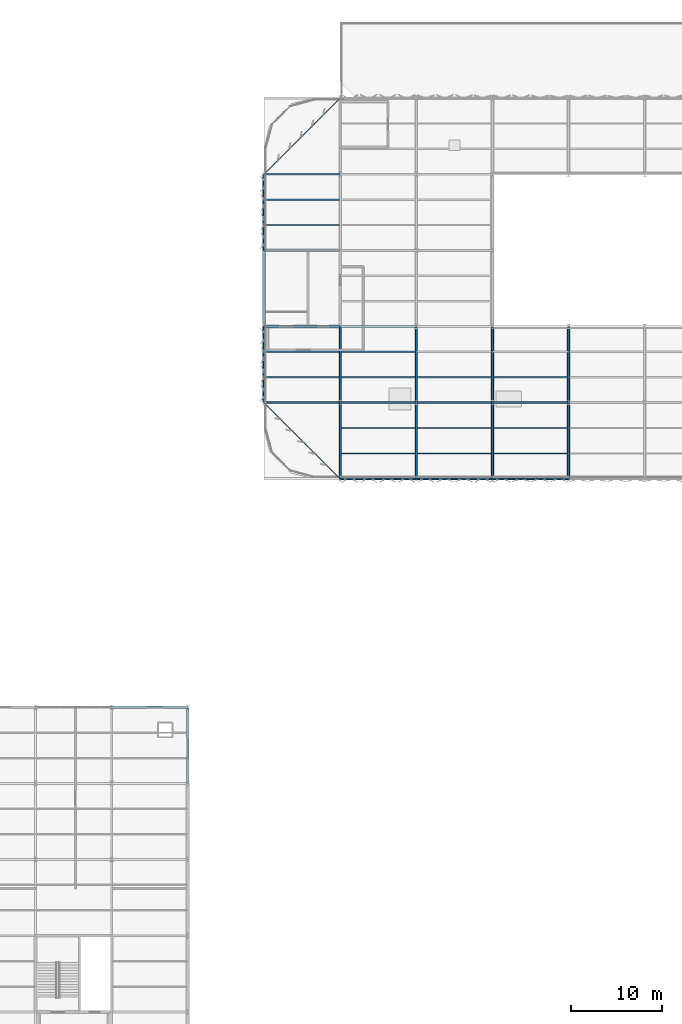
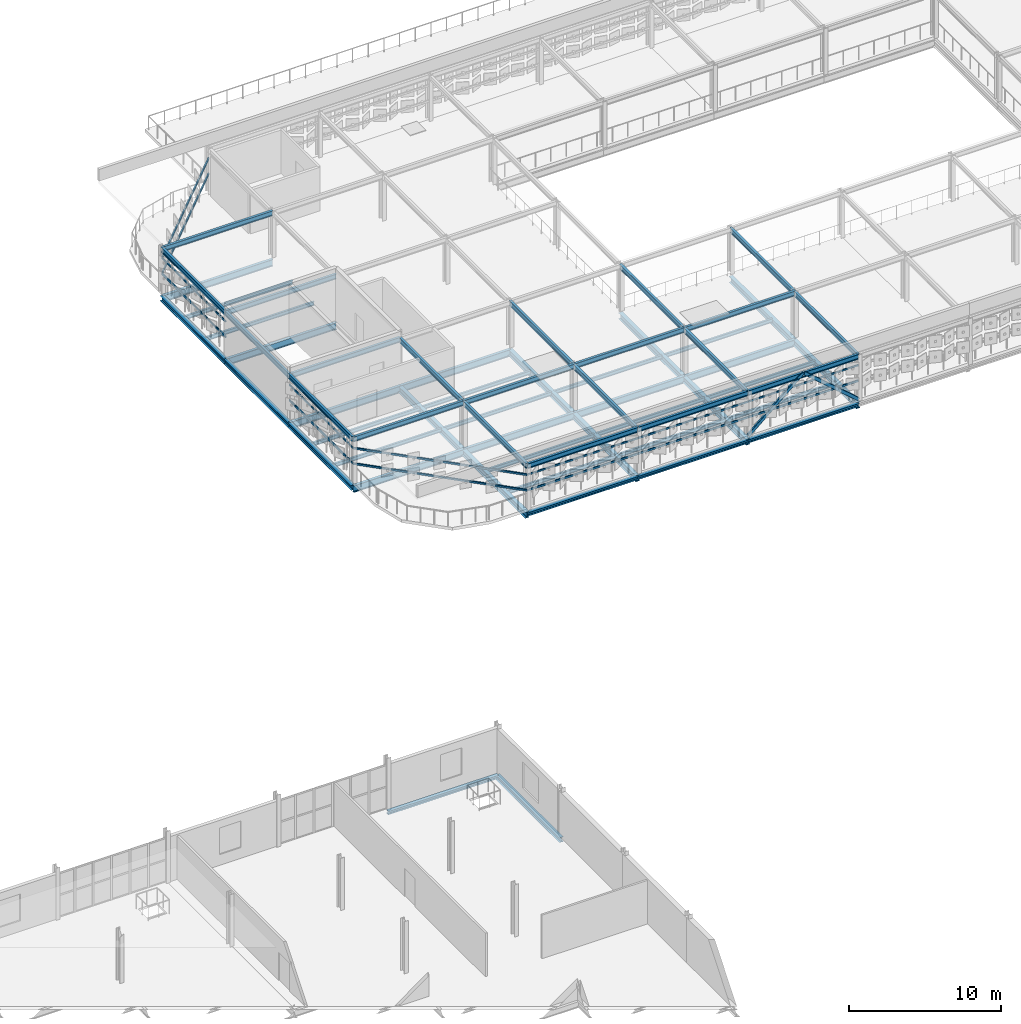
# One storey, part 30 of 65: 73 beams, 2 members.
"""IFC4 building model written with IfcOpenShell, lengths in metres."""

from ifc_helpers import new_model, si_unit, direction, frame, origin, origin_2d, place, context, subcontext, project, spatial, hollow_rectangle, i_section, extrude, material, material_profile, profile_set, type_object, element, save


model = new_model("IFC4")

# Units and contexts
model_context = context("Model", 3, precision=1e-05, world=origin(), true_north=direction((0.0, 1.0)))
body_context = subcontext(model_context, "Body", "Model", "MODEL_VIEW")
ifc_project = project(units=[si_unit("LENGTHUNIT", "METRE"), si_unit("AREAUNIT", "SQUARE_METRE"), si_unit("VOLUMEUNIT", "CUBIC_METRE"), si_unit("PLANEANGLEUNIT", "RADIAN"), si_unit("MASSUNIT", "GRAM", prefix="KILO")], contexts=[model_context])

# Site, building, storey
site_placement = place(None, origin())
site = spatial("IfcSite", under=ifc_project, at=site_placement, CompositionType="ELEMENT")
building_placement = place(site_placement, origin())
building = spatial("IfcBuilding", under=site, at=building_placement, Name="Qalvenar Corner Mobility Hub", CompositionType="ELEMENT")
storey_placement = place(building_placement, frame((0.0, 0.0, 17.39990234375)))
storey = spatial("IfcBuildingStorey", under=building, at=storey_placement, Name="L04", CompositionType="ELEMENT", Elevation=17.39990234375)

# Beams
ifc_material = material(Name="Steel S355", Category="steel")
ifc_material_profile_1 = material_profile(ifc_material, i_section(OverallWidth=0.300048828125, OverallDepth=0.489990234375, WebThickness=0.011962890625, FlangeThickness=0.02294921875, FilletRadius=0.027099609375, at=origin_2d()), Name="HEA500")
ifc_profile_set_1 = profile_set([ifc_material_profile_1], Name="Steel S355")
beam_type_1 = type_object("IfcBeamType", Name="BM-HEA500", PredefinedType="BEAM", material=ifc_profile_set_1)
beam_1_placement = place(storey_placement, frame((67.199951171875, 67.199951171875, -0.48486328125), z_axis=(0.0, 1.0, 0.0), x_axis=(-1.0, 0.0, 0.0)))
element("IfcBeam", 1, at=beam_1_placement, inside=storey, type_object=beam_type_1, Name="Primary Steel Girder GY-2774", PredefinedType="BEAM", context=body_context, shape_type="SweptSolid", body=[
    extrude(i_section(OverallWidth=0.300048828125, OverallDepth=0.489990234375, WebThickness=0.011962890625, FlangeThickness=0.02294921875, FilletRadius=0.027099609375, at=origin_2d()), origin(), (0.0, 0.0, 1.0), 8.400146484375),
])
beam_2_placement = place(storey_placement, frame((67.199951171875, 75.60009765625, -0.48486328125), z_axis=(0.0, 1.0, 0.0), x_axis=(-1.0, 0.0, 0.0)))
element("IfcBeam", 2, at=beam_2_placement, inside=storey, type_object=beam_type_1, Name="Primary Steel Girder GY-2775", PredefinedType="BEAM", context=body_context, shape_type="SweptSolid", body=[
    extrude(i_section(OverallWidth=0.300048828125, OverallDepth=0.489990234375, WebThickness=0.011962890625, FlangeThickness=0.02294921875, FilletRadius=0.027099609375, at=origin_2d()), origin(), (0.0, 0.0, 1.0), 8.39990234375),
])
beam_3_placement = place(storey_placement, frame((75.60009765625, 67.199951171875, -0.48486328125), z_axis=(0.0, 1.0, 0.0), x_axis=(-1.0, 0.0, 0.0)))
element("IfcBeam", 3, at=beam_3_placement, inside=storey, type_object=beam_type_1, Name="Primary Steel Girder GY-2779", PredefinedType="BEAM", context=body_context, shape_type="SweptSolid", body=[
    extrude(i_section(OverallWidth=0.300048828125, OverallDepth=0.489990234375, WebThickness=0.011962890625, FlangeThickness=0.02294921875, FilletRadius=0.027099609375, at=origin_2d()), origin(), (0.0, 0.0, 1.0), 8.400146484375),
])
beam_4_placement = place(storey_placement, frame((75.60009765625, 75.60009765625, -0.48486328125), z_axis=(0.0, 1.0, 0.0), x_axis=(-1.0, 0.0, 0.0)))
element("IfcBeam", 4, at=beam_4_placement, inside=storey, type_object=beam_type_1, Name="Primary Steel Girder GY-2780", PredefinedType="BEAM", context=body_context, shape_type="SweptSolid", body=[
    extrude(i_section(OverallWidth=0.300048828125, OverallDepth=0.489990234375, WebThickness=0.011962890625, FlangeThickness=0.02294921875, FilletRadius=0.027099609375, at=origin_2d()), origin(), (0.0, 0.0, 1.0), 8.39990234375),
])
beam_5_placement = place(storey_placement, frame((84.0, 67.199951171875, -0.48486328125), z_axis=(0.0, 1.0, 0.0), x_axis=(-1.0, 0.0, 0.0)))
element("IfcBeam", 5, at=beam_5_placement, inside=storey, type_object=beam_type_1, Name="Primary Steel Girder GY-2784", PredefinedType="BEAM", context=body_context, shape_type="SweptSolid", body=[
    extrude(i_section(OverallWidth=0.300048828125, OverallDepth=0.489990234375, WebThickness=0.011962890625, FlangeThickness=0.02294921875, FilletRadius=0.027099609375, at=origin_2d()), origin(), (0.0, 0.0, 1.0), 8.400146484375),
])
beam_6_placement = place(storey_placement, frame((84.0, 75.60009765625, -0.48486328125), z_axis=(0.0, 1.0, 0.0), x_axis=(-1.0, 0.0, 0.0)))
element("IfcBeam", 6, at=beam_6_placement, inside=storey, type_object=beam_type_1, Name="Primary Steel Girder GY-2785", PredefinedType="BEAM", context=body_context, shape_type="SweptSolid", body=[
    extrude(i_section(OverallWidth=0.300048828125, OverallDepth=0.489990234375, WebThickness=0.011962890625, FlangeThickness=0.02294921875, FilletRadius=0.027099609375, at=origin_2d()), origin(), (0.0, 0.0, 1.0), 8.39990234375),
])
beam_7_placement = place(storey_placement, frame((92.39990234375, 67.199951171875, -0.48486328125), z_axis=(0.0, 1.0, 0.0), x_axis=(-1.0, 0.0, 0.0)))
element("IfcBeam", 7, at=beam_7_placement, inside=storey, type_object=beam_type_1, Name="Primary Steel Girder GY-2789", PredefinedType="BEAM", context=body_context, shape_type="SweptSolid", body=[
    extrude(i_section(OverallWidth=0.300048828125, OverallDepth=0.489990234375, WebThickness=0.011962890625, FlangeThickness=0.02294921875, FilletRadius=0.027099609375, at=origin_2d()), origin(), (0.0, 0.0, 1.0), 8.400146484375),
])
beam_8_placement = place(storey_placement, frame((92.39990234375, 75.60009765625, -0.48486328125), z_axis=(0.0, 1.0, 0.0), x_axis=(-1.0, 0.0, 0.0)))
element("IfcBeam", 8, at=beam_8_placement, inside=storey, type_object=beam_type_1, Name="Primary Steel Girder GY-2790", PredefinedType="BEAM", context=body_context, shape_type="SweptSolid", body=[
    extrude(i_section(OverallWidth=0.300048828125, OverallDepth=0.489990234375, WebThickness=0.011962890625, FlangeThickness=0.02294921875, FilletRadius=0.027099609375, at=origin_2d()), origin(), (0.0, 0.0, 1.0), 8.39990234375),
])
ifc_material_profile_2 = material_profile(ifc_material, i_section(OverallWidth=0.179931640625, OverallDepth=0.39990234375, WebThickness=0.008544921875, FlangeThickness=0.013427734375, FilletRadius=0.02099609375, at=origin_2d()), Name="IPE400")
ifc_profile_set_2 = profile_set([ifc_material_profile_2], Name="Steel S355")
beam_type_2 = type_object("IfcBeamType", Name="BM-IPE400", PredefinedType="BEAM", material=ifc_profile_set_2)
for number, where, z_axis, x_axis, name in (
    (9, (58.800048828125, 75.60009765625, 3.47021484375), (0.0, 1.0, 0.0), (-1.0, 0.0, 0.0), "EV Roof Girder V4RF-Y-58-75"),
    (10, (58.800048828125, 84.0, 3.47021484375), (0.0, 1.0, 0.0), (-1.0, 0.0, 0.0), "EV Roof Girder V4RF-Y-58-84"),
):
    element("IfcBeam", number, at=place(storey_placement, frame(where, z_axis=z_axis, x_axis=x_axis)), inside=storey, type_object=beam_type_2, Name=name, PredefinedType="BEAM", context=body_context, shape_type="SweptSolid", body=[
        extrude(i_section(OverallWidth=0.179931640625, OverallDepth=0.39990234375, WebThickness=0.008544921875, FlangeThickness=0.013427734375, FilletRadius=0.02099609375, at=origin_2d()), origin(), (0.0, 0.0, 1.0), 8.39990234375),
    ])
for number, where, z_axis, x_axis, name in (
    (11, (58.800048828125, 92.39990234375, 3.47021484375), (0.0, 1.0, 0.0), (-1.0, 0.0, 0.0), "EV Roof Girder V4RF-Y-58-92"),
    (12, (67.199951171875, 67.199951171875, 3.47021484375), (0.0, 1.0, 0.0), (-1.0, 0.0, 0.0), "EV Roof Girder V4RF-Y-67-67"),
):
    element("IfcBeam", number, at=place(storey_placement, frame(where, z_axis=z_axis, x_axis=x_axis)), inside=storey, type_object=beam_type_2, Name=name, PredefinedType="BEAM", context=body_context, shape_type="SweptSolid", body=[
        extrude(i_section(OverallWidth=0.179931640625, OverallDepth=0.39990234375, WebThickness=0.008544921875, FlangeThickness=0.013427734375, FilletRadius=0.02099609375, at=origin_2d()), origin(), (0.0, 0.0, 1.0), 8.400146484375),
    ])
beam_9_placement = place(storey_placement, frame((67.199951171875, 75.60009765625, 3.47021484375), z_axis=(0.0, 1.0, 0.0), x_axis=(-1.0, 0.0, 0.0)))
element("IfcBeam", 13, at=beam_9_placement, inside=storey, type_object=beam_type_2, Name="EV Roof Girder V4RF-Y-67-75", PredefinedType="BEAM", context=body_context, shape_type="SweptSolid", body=[
    extrude(i_section(OverallWidth=0.179931640625, OverallDepth=0.39990234375, WebThickness=0.008544921875, FlangeThickness=0.013427734375, FilletRadius=0.02099609375, at=origin_2d()), origin(), (0.0, 0.0, 1.0), 8.39990234375),
])
beam_10_placement = place(storey_placement, frame((75.60009765625, 67.199951171875, 3.47021484375), z_axis=(0.0, 1.0, 0.0), x_axis=(-1.0, 0.0, 0.0)))
element("IfcBeam", 14, at=beam_10_placement, inside=storey, type_object=beam_type_2, Name="EV Roof Girder V4RF-Y-75-67", PredefinedType="BEAM", context=body_context, shape_type="SweptSolid", body=[
    extrude(i_section(OverallWidth=0.179931640625, OverallDepth=0.39990234375, WebThickness=0.008544921875, FlangeThickness=0.013427734375, FilletRadius=0.02099609375, at=origin_2d()), origin(), (0.0, 0.0, 1.0), 8.400146484375),
])
beam_11_placement = place(storey_placement, frame((75.60009765625, 75.60009765625, 3.47021484375), z_axis=(0.0, 1.0, 0.0), x_axis=(-1.0, 0.0, 0.0)))
element("IfcBeam", 15, at=beam_11_placement, inside=storey, type_object=beam_type_2, Name="EV Roof Girder V4RF-Y-75-75", PredefinedType="BEAM", context=body_context, shape_type="SweptSolid", body=[
    extrude(i_section(OverallWidth=0.179931640625, OverallDepth=0.39990234375, WebThickness=0.008544921875, FlangeThickness=0.013427734375, FilletRadius=0.02099609375, at=origin_2d()), origin(), (0.0, 0.0, 1.0), 8.39990234375),
])
beam_12_placement = place(storey_placement, frame((84.0, 67.199951171875, 3.47021484375), z_axis=(0.0, 1.0, 0.0), x_axis=(-1.0, 0.0, 0.0)))
element("IfcBeam", 16, at=beam_12_placement, inside=storey, type_object=beam_type_2, Name="EV Roof Girder V4RF-Y-84-67", PredefinedType="BEAM", context=body_context, shape_type="SweptSolid", body=[
    extrude(i_section(OverallWidth=0.179931640625, OverallDepth=0.39990234375, WebThickness=0.008544921875, FlangeThickness=0.013427734375, FilletRadius=0.02099609375, at=origin_2d()), origin(), (0.0, 0.0, 1.0), 8.400146484375),
])
beam_13_placement = place(storey_placement, frame((84.0, 75.60009765625, 3.47021484375), z_axis=(0.0, 1.0, 0.0), x_axis=(-1.0, 0.0, 0.0)))
element("IfcBeam", 17, at=beam_13_placement, inside=storey, type_object=beam_type_2, Name="EV Roof Girder V4RF-Y-84-75", PredefinedType="BEAM", context=body_context, shape_type="SweptSolid", body=[
    extrude(i_section(OverallWidth=0.179931640625, OverallDepth=0.39990234375, WebThickness=0.008544921875, FlangeThickness=0.013427734375, FilletRadius=0.02099609375, at=origin_2d()), origin(), (0.0, 0.0, 1.0), 8.39990234375),
])
beam_14_placement = place(storey_placement, frame((92.39990234375, 67.199951171875, 3.47021484375), z_axis=(0.0, 1.0, 0.0), x_axis=(-1.0, 0.0, 0.0)))
element("IfcBeam", 18, at=beam_14_placement, inside=storey, type_object=beam_type_2, Name="EV Roof Girder V4RF-Y-92-67", PredefinedType="BEAM", context=body_context, shape_type="SweptSolid", body=[
    extrude(i_section(OverallWidth=0.179931640625, OverallDepth=0.39990234375, WebThickness=0.008544921875, FlangeThickness=0.013427734375, FilletRadius=0.02099609375, at=origin_2d()), origin(), (0.0, 0.0, 1.0), 8.400146484375),
])
beam_15_placement = place(storey_placement, frame((92.39990234375, 75.60009765625, 3.47021484375), z_axis=(0.0, 1.0, 0.0), x_axis=(-1.0, 0.0, 0.0)))
element("IfcBeam", 19, at=beam_15_placement, inside=storey, type_object=beam_type_2, Name="EV Roof Girder V4RF-Y-92-75", PredefinedType="BEAM", context=body_context, shape_type="SweptSolid", body=[
    extrude(i_section(OverallWidth=0.179931640625, OverallDepth=0.39990234375, WebThickness=0.008544921875, FlangeThickness=0.013427734375, FilletRadius=0.02099609375, at=origin_2d()), origin(), (0.0, 0.0, 1.0), 8.39990234375),
])
beam_16_placement = place(storey_placement, frame((67.199951171875, 67.199951171875, 3.47021484375), z_axis=(1.0, 0.0, 0.0), x_axis=(0.0, 1.0, 0.0)))
element("IfcBeam", 20, at=beam_16_placement, inside=storey, type_object=beam_type_2, Name="EV Roof Girder V4RF-X-67-67", PredefinedType="BEAM", context=body_context, shape_type="SweptSolid", body=[
    extrude(i_section(OverallWidth=0.179931640625, OverallDepth=0.39990234375, WebThickness=0.008544921875, FlangeThickness=0.013427734375, FilletRadius=0.02099609375, at=origin_2d()), origin(), (0.0, 0.0, 1.0), 8.400146484375),
])
for number, where, z_axis, x_axis, name in (
    (21, (75.60009765625, 67.199951171875, 3.47021484375), (1.0, 0.0, 0.0), (0.0, 1.0, 0.0), "EV Roof Girder V4RF-X-75-67"),
    (22, (84.0, 67.199951171875, 3.47021484375), (1.0, 0.0, 0.0), (0.0, 1.0, 0.0), "EV Roof Girder V4RF-X-84-67"),
    (23, (58.800048828125, 75.60009765625, 3.47021484375), (1.0, 0.0, 0.0), (0.0, 1.0, 0.0), "EV Roof Girder V4RF-X-58-75"),
):
    element("IfcBeam", number, at=place(storey_placement, frame(where, z_axis=z_axis, x_axis=x_axis)), inside=storey, type_object=beam_type_2, Name=name, PredefinedType="BEAM", context=body_context, shape_type="SweptSolid", body=[
        extrude(i_section(OverallWidth=0.179931640625, OverallDepth=0.39990234375, WebThickness=0.008544921875, FlangeThickness=0.013427734375, FilletRadius=0.02099609375, at=origin_2d()), origin(), (0.0, 0.0, 1.0), 8.39990234375),
    ])
beam_17_placement = place(storey_placement, frame((67.199951171875, 75.60009765625, 3.47021484375), z_axis=(1.0, 0.0, 0.0), x_axis=(0.0, 1.0, 0.0)))
element("IfcBeam", 24, at=beam_17_placement, inside=storey, type_object=beam_type_2, Name="EV Roof Girder V4RF-X-67-75", PredefinedType="BEAM", context=body_context, shape_type="SweptSolid", body=[
    extrude(i_section(OverallWidth=0.179931640625, OverallDepth=0.39990234375, WebThickness=0.008544921875, FlangeThickness=0.013427734375, FilletRadius=0.02099609375, at=origin_2d()), origin(), (0.0, 0.0, 1.0), 8.400146484375),
])
for number, where, z_axis, x_axis, name in (
    (25, (75.60009765625, 75.60009765625, 3.47021484375), (1.0, 0.0, 0.0), (0.0, 1.0, 0.0), "EV Roof Girder V4RF-X-75-75"),
    (26, (84.0, 75.60009765625, 3.47021484375), (1.0, 0.0, 0.0), (0.0, 1.0, 0.0), "EV Roof Girder V4RF-X-84-75"),
    (27, (58.800048828125, 84.0, 3.47021484375), (1.0, 0.0, 0.0), (0.0, 1.0, 0.0), "EV Roof Girder V4RF-X-58-84"),
    (28, (58.800048828125, 92.39990234375, 3.47021484375), (1.0, 0.0, 0.0), (0.0, 1.0, 0.0), "EV Roof Girder V4RF-X-58-92"),
    (29, (58.800048828125, 100.800048828125, 3.47021484375), (1.0, 0.0, 0.0), (0.0, 1.0, 0.0), "EV Roof Girder V4RF-X-58-100"),
):
    element("IfcBeam", number, at=place(storey_placement, frame(where, z_axis=z_axis, x_axis=x_axis)), inside=storey, type_object=beam_type_2, Name=name, PredefinedType="BEAM", context=body_context, shape_type="SweptSolid", body=[
        extrude(i_section(OverallWidth=0.179931640625, OverallDepth=0.39990234375, WebThickness=0.008544921875, FlangeThickness=0.013427734375, FilletRadius=0.02099609375, at=origin_2d()), origin(), (0.0, 0.0, 1.0), 8.39990234375),
    ])
ifc_material_profile_3 = material_profile(ifc_material, i_section(OverallWidth=0.2099609375, OverallDepth=0.550048828125, WebThickness=0.010986328125, FlangeThickness=0.01708984375, FilletRadius=0.02392578125, at=origin_2d()), Name="IPE550")
ifc_profile_set_3 = profile_set([ifc_material_profile_3], Name="Steel S355")
beam_type_3 = type_object("IfcBeamType", Name="BM-IPE550", PredefinedType="BEAM", material=ifc_profile_set_3)
beam_18_placement = place(storey_placement, frame((58.800048828125, 75.60009765625, -0.514892578125), z_axis=(1.0, 0.0, 0.0), x_axis=(0.0, 1.0, 0.0)))
element("IfcBeam", 30, at=beam_18_placement, inside=storey, type_object=beam_type_3, Name="Primary Steel Girder GX-2727", PredefinedType="BEAM", context=body_context, shape_type="SweptSolid", body=[
    extrude(i_section(OverallWidth=0.2099609375, OverallDepth=0.550048828125, WebThickness=0.010986328125, FlangeThickness=0.01708984375, FilletRadius=0.02392578125, at=origin_2d()), origin(), (0.0, 0.0, 1.0), 8.39990234375),
])
beam_19_placement = place(storey_placement, frame((67.199951171875, 75.60009765625, -0.514892578125), z_axis=(1.0, 0.0, 0.0), x_axis=(0.0, 1.0, 0.0)))
element("IfcBeam", 31, at=beam_19_placement, inside=storey, type_object=beam_type_3, Name="Primary Steel Girder GX-2728", PredefinedType="BEAM", context=body_context, shape_type="SweptSolid", body=[
    extrude(i_section(OverallWidth=0.2099609375, OverallDepth=0.550048828125, WebThickness=0.010986328125, FlangeThickness=0.01708984375, FilletRadius=0.02392578125, at=origin_2d()), origin(), (0.0, 0.0, 1.0), 8.400146484375),
])
for number, where, z_axis, x_axis, name in (
    (32, (75.60009765625, 75.60009765625, -0.514892578125), (1.0, 0.0, 0.0), (0.0, 1.0, 0.0), "Primary Steel Girder GX-2729"),
    (33, (84.0, 75.60009765625, -0.514892578125), (1.0, 0.0, 0.0), (0.0, 1.0, 0.0), "Primary Steel Girder GX-2730"),
    (34, (58.800048828125, 84.0, -0.514892578125), (1.0, 0.0, 0.0), (0.0, 1.0, 0.0), "Primary Steel Girder GX-2737"),
):
    element("IfcBeam", number, at=place(storey_placement, frame(where, z_axis=z_axis, x_axis=x_axis)), inside=storey, type_object=beam_type_3, Name=name, PredefinedType="BEAM", context=body_context, shape_type="SweptSolid", body=[
        extrude(i_section(OverallWidth=0.2099609375, OverallDepth=0.550048828125, WebThickness=0.010986328125, FlangeThickness=0.01708984375, FilletRadius=0.02392578125, at=origin_2d()), origin(), (0.0, 0.0, 1.0), 8.39990234375),
    ])
beam_20_placement = place(storey_placement, frame((67.199951171875, 84.0, -0.514892578125), z_axis=(1.0, 0.0, 0.0), x_axis=(0.0, 1.0, 0.0)))
element("IfcBeam", 35, at=beam_20_placement, inside=storey, type_object=beam_type_3, Name="Primary Steel Girder GX-2738", PredefinedType="BEAM", context=body_context, shape_type="SweptSolid", body=[
    extrude(i_section(OverallWidth=0.2099609375, OverallDepth=0.550048828125, WebThickness=0.010986328125, FlangeThickness=0.01708984375, FilletRadius=0.02392578125, at=origin_2d()), origin(), (0.0, 0.0, 1.0), 8.400146484375),
])
for number, where, z_axis, x_axis, name in (
    (36, (58.800048828125, 92.39990234375, -0.514892578125), (1.0, 0.0, 0.0), (0.0, 1.0, 0.0), "Primary Steel Girder GX-2747"),
    (37, (58.800048828125, 100.800048828125, -0.514892578125), (1.0, 0.0, 0.0), (0.0, 1.0, 0.0), "Primary Steel Girder GX-2753"),
):
    element("IfcBeam", number, at=place(storey_placement, frame(where, z_axis=z_axis, x_axis=x_axis)), inside=storey, type_object=beam_type_3, Name=name, PredefinedType="BEAM", context=body_context, shape_type="SweptSolid", body=[
        extrude(i_section(OverallWidth=0.2099609375, OverallDepth=0.550048828125, WebThickness=0.010986328125, FlangeThickness=0.01708984375, FilletRadius=0.02392578125, at=origin_2d()), origin(), (0.0, 0.0, 1.0), 8.39990234375),
    ])
ifc_material_profile_4 = material_profile(ifc_material, i_section(OverallWidth=0.14990234375, OverallDepth=0.300048828125, WebThickness=0.007080078125, FlangeThickness=0.0107421875, FilletRadius=0.014892578125, at=origin_2d()), Name="IPE300")
ifc_profile_set_4 = profile_set([ifc_material_profile_4], Name="Steel S355")
beam_type_4 = type_object("IfcBeamType", Name="BM-JST300", PredefinedType="JOIST", material=ifc_profile_set_4)
for number, where, z_axis, x_axis, name in (
    (38, (58.8779296875, 78.39990234375, -0.389892578125), (1.0, 0.0, 0.0), (0.0, 1.0, 0.0), "Composite Floor Joist J-2816"),
    (39, (58.8779296875, 81.199951171875, -0.389892578125), (1.0, 0.0, 0.0), (0.0, 1.0, 0.0), "Composite Floor Joist J-2817"),
    (40, (58.8779296875, 95.199951171875, -0.389892578125), (1.0, 0.0, 0.0), (0.0, 1.0, 0.0), "Composite Floor Joist J-2818"),
    (41, (58.8779296875, 98.0, -0.389892578125), (1.0, 0.0, 0.0), (0.0, 1.0, 0.0), "Composite Floor Joist J-2819"),
):
    element("IfcBeam", number, at=place(storey_placement, frame(where, z_axis=z_axis, x_axis=x_axis)), inside=storey, type_object=beam_type_4, Name=name, PredefinedType="JOIST", context=body_context, shape_type="SweptSolid", body=[
        extrude(i_section(OverallWidth=0.14990234375, OverallDepth=0.300048828125, WebThickness=0.007080078125, FlangeThickness=0.0107421875, FilletRadius=0.014892578125, at=origin_2d()), origin(), (0.0, 0.0, 1.0), 8.244140625),
    ])
for number, where, z_axis, x_axis, name in (
    (42, (67.278076171875, 70.0, -0.389892578125), (1.0, 0.0, 0.0), (0.0, 1.0, 0.0), "Composite Floor Joist J-2820"),
    (43, (67.278076171875, 72.800048828125, -0.389892578125), (1.0, 0.0, 0.0), (0.0, 1.0, 0.0), "Composite Floor Joist J-2821"),
    (44, (67.278076171875, 78.39990234375, -0.389892578125), (1.0, 0.0, 0.0), (0.0, 1.0, 0.0), "Composite Floor Joist J-2822"),
    (45, (67.278076171875, 81.199951171875, -0.389892578125), (1.0, 0.0, 0.0), (0.0, 1.0, 0.0), "Composite Floor Joist J-2823"),
):
    element("IfcBeam", number, at=place(storey_placement, frame(where, z_axis=z_axis, x_axis=x_axis)), inside=storey, type_object=beam_type_4, Name=name, PredefinedType="JOIST", context=body_context, shape_type="SweptSolid", body=[
        extrude(i_section(OverallWidth=0.14990234375, OverallDepth=0.300048828125, WebThickness=0.007080078125, FlangeThickness=0.0107421875, FilletRadius=0.014892578125, at=origin_2d()), origin(), (0.0, 0.0, 1.0), 8.243896484375),
    ])
for number, where, z_axis, x_axis, name in (
    (46, (75.677978515625, 70.0, -0.389892578125), (1.0, 0.0, 0.0), (0.0, 1.0, 0.0), "Composite Floor Joist J-2830"),
    (47, (75.677978515625, 72.800048828125, -0.389892578125), (1.0, 0.0, 0.0), (0.0, 1.0, 0.0), "Composite Floor Joist J-2831"),
    (48, (75.677978515625, 78.39990234375, -0.389892578125), (1.0, 0.0, 0.0), (0.0, 1.0, 0.0), "Composite Floor Joist J-2832"),
    (49, (84.077880859375, 70.0, -0.389892578125), (1.0, 0.0, 0.0), (0.0, 1.0, 0.0), "Composite Floor Joist J-2840"),
    (50, (84.077880859375, 72.800048828125, -0.389892578125), (1.0, 0.0, 0.0), (0.0, 1.0, 0.0), "Composite Floor Joist J-2841"),
    (51, (84.077880859375, 78.39990234375, -0.389892578125), (1.0, 0.0, 0.0), (0.0, 1.0, 0.0), "Composite Floor Joist J-2842"),
):
    element("IfcBeam", number, at=place(storey_placement, frame(where, z_axis=z_axis, x_axis=x_axis)), inside=storey, type_object=beam_type_4, Name=name, PredefinedType="JOIST", context=body_context, shape_type="SweptSolid", body=[
        extrude(i_section(OverallWidth=0.14990234375, OverallDepth=0.300048828125, WebThickness=0.007080078125, FlangeThickness=0.0107421875, FilletRadius=0.014892578125, at=origin_2d()), origin(), (0.0, 0.0, 1.0), 8.244140625),
    ])
ifc_material_profile_5 = material_profile(ifc_material, i_section(OverallWidth=0.280029296875, OverallDepth=0.27001953125, WebThickness=0.008056640625, FlangeThickness=0.012939453125, FilletRadius=0.02392578125, at=origin_2d()), Name="HEA280")
ifc_profile_set_5 = profile_set([ifc_material_profile_5], Name="Steel S355")
beam_type_5 = type_object("IfcBeamType", Name="BM-SPN280", PredefinedType="SPANDREL", material=ifc_profile_set_5)
beam_21_placement = place(storey_placement, frame((42.0, 42.0, -0.31494140625), z_axis=(1.0, 0.0, 0.0), x_axis=(0.0, 1.0, 0.0)))
element("IfcBeam", 52, at=beam_21_placement, inside=storey, type_object=beam_type_5, Name="Primary Steel Girder GX-2626", PredefinedType="SPANDREL", context=body_context, shape_type="SweptSolid", body=[
    extrude(i_section(OverallWidth=0.280029296875, OverallDepth=0.27001953125, WebThickness=0.008056640625, FlangeThickness=0.012939453125, FilletRadius=0.02392578125, at=origin_2d()), origin(), (0.0, 0.0, 1.0), 8.39990234375),
])
beam_22_placement = place(storey_placement, frame((67.199951171875, 67.199951171875, -0.375), z_axis=(1.0, 0.0, 0.0), x_axis=(0.0, 1.0, 0.0)))
element("IfcBeam", 53, at=beam_22_placement, inside=storey, type_object=beam_type_5, Name="Primary Steel Girder GX-2719", PredefinedType="SPANDREL", context=body_context, shape_type="SweptSolid", body=[
    extrude(i_section(OverallWidth=0.280029296875, OverallDepth=0.27001953125, WebThickness=0.008056640625, FlangeThickness=0.012939453125, FilletRadius=0.02392578125, at=origin_2d()), origin(), (0.0, 0.0, 1.0), 8.400146484375),
])
for number, where, z_axis, x_axis, name in (
    (54, (75.60009765625, 67.199951171875, -0.375), (1.0, 0.0, 0.0), (0.0, 1.0, 0.0), "Primary Steel Girder GX-2720"),
    (55, (84.0, 67.199951171875, -0.375), (1.0, 0.0, 0.0), (0.0, 1.0, 0.0), "Primary Steel Girder GX-2721"),
):
    element("IfcBeam", number, at=place(storey_placement, frame(where, z_axis=z_axis, x_axis=x_axis)), inside=storey, type_object=beam_type_5, Name=name, PredefinedType="SPANDREL", context=body_context, shape_type="SweptSolid", body=[
        extrude(i_section(OverallWidth=0.280029296875, OverallDepth=0.27001953125, WebThickness=0.008056640625, FlangeThickness=0.012939453125, FilletRadius=0.02392578125, at=origin_2d()), origin(), (0.0, 0.0, 1.0), 8.39990234375),
    ])
ifc_material_profile_6 = material_profile(ifc_material, i_section(OverallWidth=0.300048828125, OverallDepth=0.389892578125, WebThickness=0.010986328125, FlangeThickness=0.01904296875, FilletRadius=0.027099609375, at=origin_2d()), Name="HEA400")
ifc_profile_set_6 = profile_set([ifc_material_profile_6], Name="Steel S355")
beam_type_6 = type_object("IfcBeamType", Name="BM-SPN400", PredefinedType="SPANDREL", material=ifc_profile_set_6)
for number, where, z_axis, x_axis, name in (
    (56, (50.39990234375, 33.60009765625, -0.375), (0.0, 1.0, 0.0), (-1.0, 0.0, 0.0), "Primary Steel Girder GY-2661"),
    (57, (58.800048828125, 75.60009765625, -0.434814453125), (0.0, 1.0, 0.0), (-1.0, 0.0, 0.0), "Primary Steel Girder GY-2771"),
    (58, (58.800048828125, 84.0, -0.434814453125), (0.0, 1.0, 0.0), (-1.0, 0.0, 0.0), "Primary Steel Girder GY-2772"),
):
    element("IfcBeam", number, at=place(storey_placement, frame(where, z_axis=z_axis, x_axis=x_axis)), inside=storey, type_object=beam_type_6, Name=name, PredefinedType="SPANDREL", context=body_context, shape_type="SweptSolid", body=[
        extrude(i_section(OverallWidth=0.300048828125, OverallDepth=0.389892578125, WebThickness=0.010986328125, FlangeThickness=0.01904296875, FilletRadius=0.027099609375, at=origin_2d()), origin(), (0.0, 0.0, 1.0), 8.39990234375),
    ])
beam_23_placement = place(storey_placement, frame((58.800048828125, 92.39990234375, -0.434814453125), z_axis=(0.0, 1.0, 0.0), x_axis=(-1.0, 0.0, 0.0)))
element("IfcBeam", 59, at=beam_23_placement, inside=storey, type_object=beam_type_6, Name="Primary Steel Girder GY-2773", PredefinedType="SPANDREL", context=body_context, shape_type="SweptSolid", body=[
    extrude(i_section(OverallWidth=0.300048828125, OverallDepth=0.389892578125, WebThickness=0.010986328125, FlangeThickness=0.01904296875, FilletRadius=0.027099609375, at=origin_2d()), origin(), (0.0, 0.0, 1.0), 8.400146484375),
])

# Members
ifc_material_profile_7 = material_profile(ifc_material, hollow_rectangle(XDim=0.14990234375, YDim=0.25, WallThickness=0.010009765625, InnerFilletRadius=0.010009765625, OuterFilletRadius=0.02001953125, at=origin_2d()), Name="RHS250x150x10")
ifc_profile_set_7 = profile_set([ifc_material_profile_7], Name="Steel S355")
member_type = type_object("IfcMemberType", Name="BR-RHS250", PredefinedType="BRACE", material=ifc_profile_set_7)
for number, where, z_axis, x_axis, name in (
    (60, (84.0, 67.199951171875, 0.02001953125), (0.757457263903, 0.0, 0.652884747379), (0.0, 1.0, 0.0), "Chevron Lateral Brace BR-029"),
    (61, (92.39990234375, 67.199951171875, 0.02001953125), (-0.757457263903, 0.0, 0.652884747379), (0.0, -1.0, 0.0), "Chevron Lateral Brace BR-030"),
):
    element("IfcMember", number, at=place(storey_placement, frame(where, z_axis=z_axis, x_axis=x_axis)), inside=storey, type_object=member_type, Name=name, PredefinedType="BRACE", context=body_context, shape_type="SweptSolid", body=[
        extrude(hollow_rectangle(XDim=0.14990234375, YDim=0.25, WallThickness=0.010009765625, InnerFilletRadius=0.010009765625, OuterFilletRadius=0.02001953125, at=origin_2d()), origin(), (0.0, 0.0, 1.0), 5.544921875),
    ])

# Beams
ifc_material_profile_8 = material_profile(ifc_material, hollow_rectangle(XDim=0.080078125, YDim=0.139892578125, WallThickness=0.0048828125, InnerFilletRadius=0.0048828125, OuterFilletRadius=0.010009765625, at=origin_2d()), Name="RHS140x80x5")
ifc_profile_set_8 = profile_set([ifc_material_profile_8], Name="Steel S355")
beam_type_7 = type_object("IfcBeamType", Name="FR-RAIL140", PredefinedType="SPANDREL", material=ifc_profile_set_8)
beam_24_placement = place(storey_placement, frame((67.199951171875, 67.199951171875, 2.75), z_axis=(1.0, 0.0, 0.0), x_axis=(0.0, 1.0, 0.0)))
element("IfcBeam", 62, at=beam_24_placement, inside=storey, type_object=beam_type_7, Name="Facade Hinge Support Rail FR-L04-0146", PredefinedType="SPANDREL", context=body_context, shape_type="SweptSolid", body=[
    extrude(hollow_rectangle(XDim=0.080078125, YDim=0.139892578125, WallThickness=0.0048828125, InnerFilletRadius=0.0048828125, OuterFilletRadius=0.010009765625, at=origin_2d()), origin(), (0.0, 0.0, 1.0), 8.400146484375),
])
for number, where, z_axis, x_axis, name in (
    (63, (75.60009765625, 67.199951171875, 2.75), (1.0, 0.0, 0.0), (0.0, 1.0, 0.0), "Facade Hinge Support Rail FR-L04-0148"),
    (64, (84.0, 67.199951171875, 2.75), (1.0, 0.0, 0.0), (0.0, 1.0, 0.0), "Facade Hinge Support Rail FR-L04-0150"),
    (65, (58.800048828125, 84.0, 2.75), (0.0, -1.0, 0.0), (1.0, 0.0, 0.0), "Facade Hinge Support Rail FR-L04-0176"),
):
    element("IfcBeam", number, at=place(storey_placement, frame(where, z_axis=z_axis, x_axis=x_axis)), inside=storey, type_object=beam_type_7, Name=name, PredefinedType="SPANDREL", context=body_context, shape_type="SweptSolid", body=[
        extrude(hollow_rectangle(XDim=0.080078125, YDim=0.139892578125, WallThickness=0.0048828125, InnerFilletRadius=0.0048828125, OuterFilletRadius=0.010009765625, at=origin_2d()), origin(), (0.0, 0.0, 1.0), 8.39990234375),
    ])
beam_25_placement = place(storey_placement, frame((58.800048828125, 100.800048828125, 2.75), z_axis=(0.0, -1.0, 0.0), x_axis=(1.0, 0.0, 0.0)))
element("IfcBeam", 66, at=beam_25_placement, inside=storey, type_object=beam_type_7, Name="Facade Hinge Support Rail FR-L04-0178", PredefinedType="SPANDREL", context=body_context, shape_type="SweptSolid", body=[
    extrude(hollow_rectangle(XDim=0.080078125, YDim=0.139892578125, WallThickness=0.0048828125, InnerFilletRadius=0.0048828125, OuterFilletRadius=0.010009765625, at=origin_2d()), origin(), (0.0, 0.0, 1.0), 8.400146484375),
])
ifc_material_profile_9 = material_profile(ifc_material, hollow_rectangle(XDim=0.10009765625, YDim=0.14990234375, WallThickness=0.00634765625, InnerFilletRadius=0.00634765625, OuterFilletRadius=0.0126953125, at=origin_2d()), Name="RHS150x100x6.3")
ifc_profile_set_9 = profile_set([ifc_material_profile_9], Name="Steel S355")
beam_type_8 = type_object("IfcBeamType", Name="FR-RAIL150", PredefinedType="SPANDREL", material=ifc_profile_set_9)
for number, where, z_axis, x_axis, name in (
    (67, (58.800048828125, 75.60009765625, 1.5), (0.707096505339, -0.707117056885, 0.0), (0.707117056885, 0.707096505339, 0.0), "Corner Facade Rail FRC-L04-0181"),
    (68, (58.800048828125, 75.60009765625, 2.75), (0.707096505339, -0.707117056885, 0.0), (0.707117056885, 0.707096505339, 0.0), "Corner Facade Rail FRC-L04-0182"),
):
    element("IfcBeam", number, at=place(storey_placement, frame(where, z_axis=z_axis, x_axis=x_axis)), inside=storey, type_object=beam_type_8, Name=name, PredefinedType="SPANDREL", context=body_context, shape_type="SweptSolid", body=[
        extrude(hollow_rectangle(XDim=0.10009765625, YDim=0.14990234375, WallThickness=0.00634765625, InnerFilletRadius=0.00634765625, OuterFilletRadius=0.0126953125, at=origin_2d()), origin(), (0.0, 0.0, 1.0), 11.87939453125),
    ])
for number, where, z_axis, x_axis, name in (
    (69, (67.199951171875, 109.199951171875, 1.5), (-0.707106781187, -0.707106781187, 0.0), (0.707106781187, -0.707106781187, 0.0), "Corner Facade Rail FRC-L04-0187"),
    (70, (67.199951171875, 109.199951171875, 2.75), (-0.707106781187, -0.707106781187, 0.0), (0.707106781187, -0.707106781187, 0.0), "Corner Facade Rail FRC-L04-0188"),
):
    element("IfcBeam", number, at=place(storey_placement, frame(where, z_axis=z_axis, x_axis=x_axis)), inside=storey, type_object=beam_type_8, Name=name, PredefinedType="SPANDREL", context=body_context, shape_type="SweptSolid", body=[
        extrude(hollow_rectangle(XDim=0.10009765625, YDim=0.14990234375, WallThickness=0.00634765625, InnerFilletRadius=0.00634765625, OuterFilletRadius=0.0126953125, at=origin_2d()), origin(), (0.0, 0.0, 1.0), 11.879150390625),
    ])
ifc_material_profile_10 = material_profile(ifc_material, hollow_rectangle(XDim=0.090087890625, YDim=0.159912109375, WallThickness=0.00634765625, InnerFilletRadius=0.00634765625, OuterFilletRadius=0.0126953125, at=origin_2d()), Name="RHS160x90x6.3")
ifc_profile_set_10 = profile_set([ifc_material_profile_10], Name="Steel S355")
beam_type_9 = type_object("IfcBeamType", Name="FR-RAIL160", PredefinedType="SPANDREL", material=ifc_profile_set_10)
beam_26_placement = place(storey_placement, frame((67.199951171875, 67.199951171875, 1.5), z_axis=(1.0, 0.0, 0.0), x_axis=(0.0, 1.0, 0.0)))
element("IfcBeam", 71, at=beam_26_placement, inside=storey, type_object=beam_type_9, Name="Facade Hinge Support Rail FR-L04-0145", PredefinedType="SPANDREL", context=body_context, shape_type="SweptSolid", body=[
    extrude(hollow_rectangle(XDim=0.090087890625, YDim=0.159912109375, WallThickness=0.00634765625, InnerFilletRadius=0.00634765625, OuterFilletRadius=0.0126953125, at=origin_2d()), origin(), (0.0, 0.0, 1.0), 8.400146484375),
])
for number, where, z_axis, x_axis, name in (
    (72, (75.60009765625, 67.199951171875, 1.5), (1.0, 0.0, 0.0), (0.0, 1.0, 0.0), "Facade Hinge Support Rail FR-L04-0147"),
    (73, (84.0, 67.199951171875, 1.5), (1.0, 0.0, 0.0), (0.0, 1.0, 0.0), "Facade Hinge Support Rail FR-L04-0149"),
    (74, (58.800048828125, 84.0, 1.5), (0.0, -1.0, 0.0), (1.0, 0.0, 0.0), "Facade Hinge Support Rail FR-L04-0175"),
):
    element("IfcBeam", number, at=place(storey_placement, frame(where, z_axis=z_axis, x_axis=x_axis)), inside=storey, type_object=beam_type_9, Name=name, PredefinedType="SPANDREL", context=body_context, shape_type="SweptSolid", body=[
        extrude(hollow_rectangle(XDim=0.090087890625, YDim=0.159912109375, WallThickness=0.00634765625, InnerFilletRadius=0.00634765625, OuterFilletRadius=0.0126953125, at=origin_2d()), origin(), (0.0, 0.0, 1.0), 8.39990234375),
    ])
beam_27_placement = place(storey_placement, frame((58.800048828125, 100.800048828125, 1.5), z_axis=(0.0, -1.0, 0.0), x_axis=(1.0, 0.0, 0.0)))
element("IfcBeam", 75, at=beam_27_placement, inside=storey, type_object=beam_type_9, Name="Facade Hinge Support Rail FR-L04-0177", PredefinedType="SPANDREL", context=body_context, shape_type="SweptSolid", body=[
    extrude(hollow_rectangle(XDim=0.090087890625, YDim=0.159912109375, WallThickness=0.00634765625, InnerFilletRadius=0.00634765625, OuterFilletRadius=0.0126953125, at=origin_2d()), origin(), (0.0, 0.0, 1.0), 8.400146484375),
])

save(model, "model.ifc")
